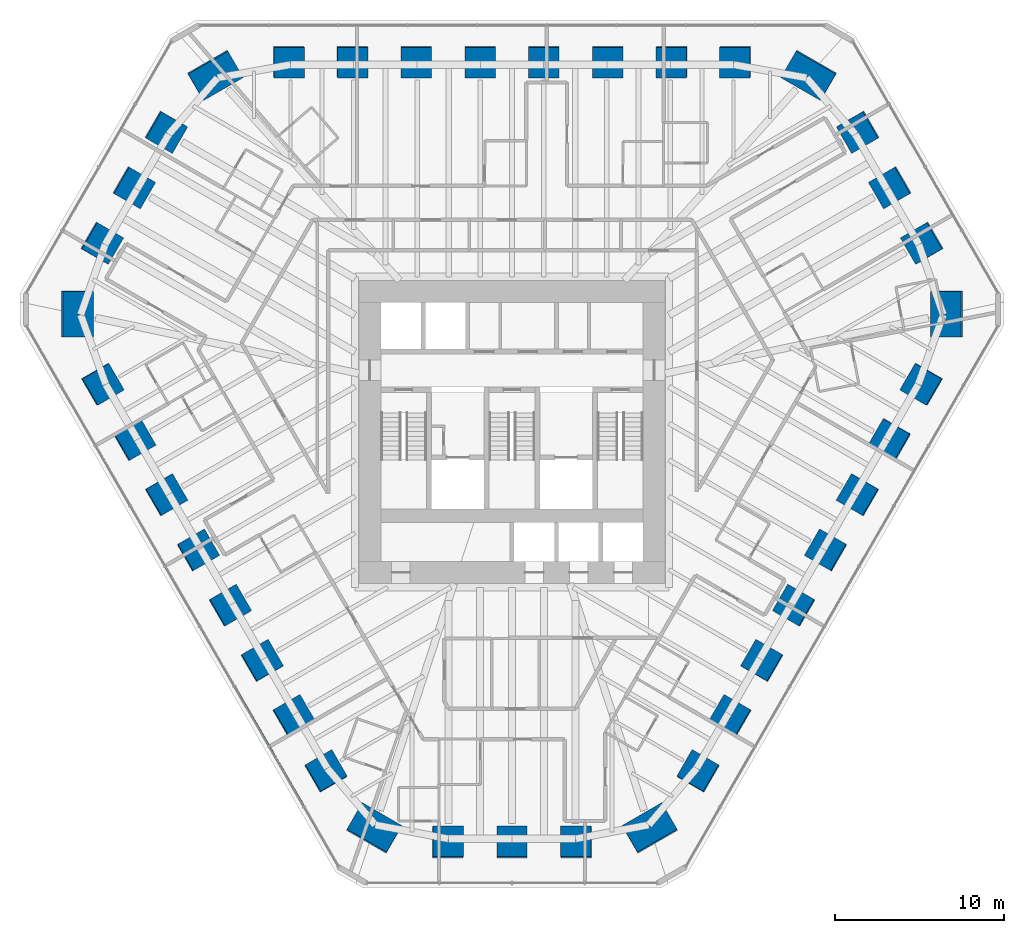
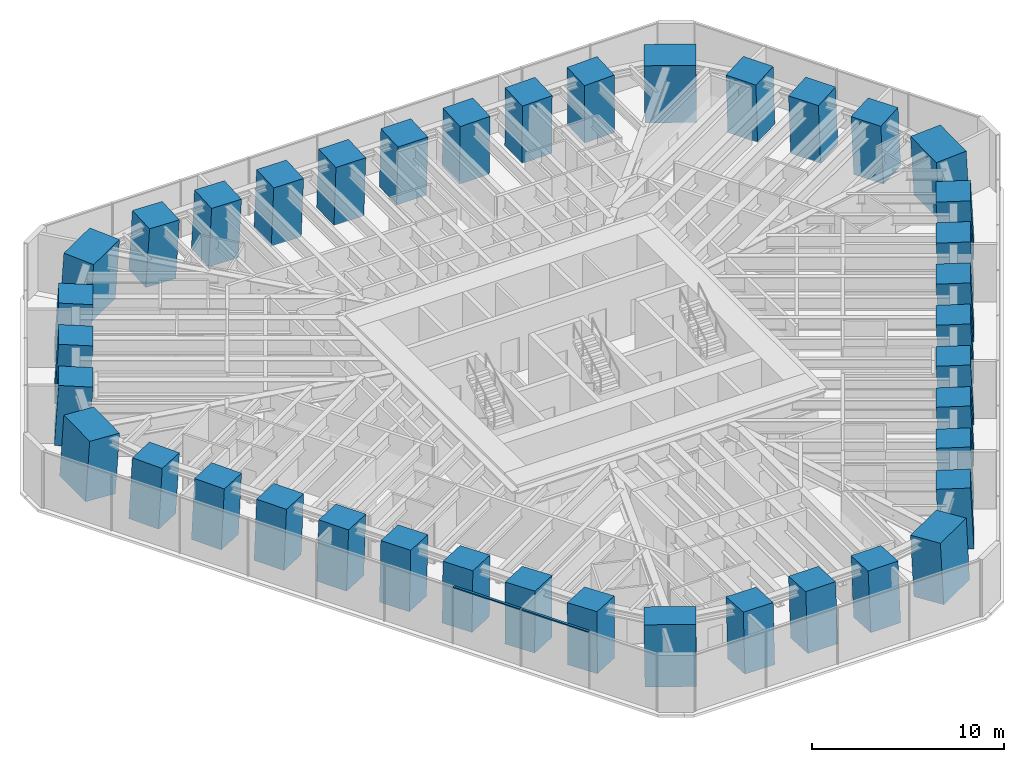
# One storey, part 1 of 17: 39 columns, 2 members, 1 element without a shape of its own.
"""IFC4 building model written with IfcOpenShell, lengths in metres."""

from ifc_helpers import new_model, si_unit, direction, frame, origin, origin_2d, place, context, subcontext, project, spatial, rectangle, extrude, material, material_profile, profile_set, type_object, element, aggregate, save


model = new_model("IFC4")

# Units and contexts
model_context = context("Model", 3, precision=1e-05, world=origin(), true_north=direction((0.0, 1.0)))
body_context = subcontext(model_context, "Body", "Model", "MODEL_VIEW")
ifc_project = project(units=[si_unit("LENGTHUNIT", "METRE"), si_unit("AREAUNIT", "SQUARE_METRE"), si_unit("VOLUMEUNIT", "CUBIC_METRE"), si_unit("PLANEANGLEUNIT", "RADIAN"), si_unit("MASSUNIT", "GRAM", prefix="KILO")], contexts=[model_context])

# Site, building, storey
site_placement = place(None, origin())
site = spatial("IfcSite", under=ifc_project, at=site_placement, CompositionType="ELEMENT")
building_placement = place(site_placement, origin())
building = spatial("IfcBuilding", under=site, at=building_placement, Name="Sandreach Pilgrim Tower", CompositionType="ELEMENT")
storey_placement = place(building_placement, frame((0.0, 0.0, 169.0)))
storey = spatial("IfcBuildingStorey", under=building, at=storey_placement, Name="L42", CompositionType="ELEMENT", Elevation=169.0)

# Columns
ifc_material_1 = material(Name="Concrete 10000 psi", Category="concrete")
ifc_material_profile_1 = material_profile(ifc_material_1, rectangle(XDim=1.800048828125, YDim=1.800048828125, at=origin_2d()), Name="RC1800X1800")
ifc_profile_set_1 = profile_set([ifc_material_profile_1], Name="Concrete 10000 psi")
column_type_1 = type_object("IfcColumnType", Name="Raked tube column RC1800X1800", PredefinedType="COLUMN", material=ifc_profile_set_1)
column_1_placement = place(storey_placement, frame((-13.2041015625, 20.331787109375, 0.0), z_axis=(0.030661228378, -0.047210594322, 0.998414267155), x_axis=(0.001430243146, 0.998884958054, 0.047188928551)))
element("IfcColumn", 1, at=column_1_placement, inside=storey, type_object=column_type_1, Name="COL L42 T01", PredefinedType="COLUMN", context=body_context, shape_type="SweptSolid", body=[
    extrude(rectangle(XDim=1.800048828125, YDim=1.800048828125, at=origin_2d()), origin(), (0.0, 0.0, 1.0), 3.80615234375),
])
column_2_placement = place(storey_placement, frame((-9.431640625, 20.332275390625, 0.0), z_axis=(0.021878437619, -0.047221495857, 0.998644813883), x_axis=(0.001498284872, 0.998884335352, 0.047199997152)))
element("IfcColumn", 2, at=column_2_placement, inside=storey, type_object=column_type_1, Name="COL L42 T02", PredefinedType="COLUMN", context=body_context, shape_type="SweptSolid", body=[
    extrude(rectangle(XDim=1.800048828125, YDim=1.800048828125, at=origin_2d()), origin(), (0.0, 0.0, 1.0), 3.80517578125),
])
column_3_placement = place(storey_placement, frame((-5.6591796875, 20.33251953125, 0.0), z_axis=(0.013154737098, -0.047228714653, 0.998797477672), x_axis=(0.000430917394, 0.998884083407, 0.047227134425)))
element("IfcColumn", 3, at=column_3_placement, inside=storey, type_object=column_type_1, Name="COL L42 T03", PredefinedType="COLUMN", context=body_context, shape_type="SweptSolid", body=[
    extrude(rectangle(XDim=1.800048828125, YDim=1.800048828125, at=origin_2d()), origin(), (0.0, 0.0, 1.0), 3.8046875),
])
for number, where, z_axis, x_axis, name in (
    (4, (-1.886474609375, 20.3330078125, 0.0), (0.004428031736, -0.047232338519, 0.998874115559), (-0.00075764009, 0.998883463242, 0.047236139166), "COL L42 T04"),
    (5, (1.886474609375, 20.3330078125, 0.0), (-0.004428031736, -0.047232338519, 0.998874115559), (0.00075764009, 0.998883463242, 0.047236139166), "COL L42 T05"),
):
    element("IfcColumn", number, at=place(storey_placement, frame(where, z_axis=z_axis, x_axis=x_axis)), inside=storey, type_object=column_type_1, Name=name, PredefinedType="COLUMN", context=body_context, shape_type="SweptSolid", body=[
        extrude(rectangle(XDim=1.800048828125, YDim=1.800048828125, at=origin_2d()), origin(), (0.0, 0.0, 1.0), 3.804443359375),
    ])
column_4_placement = place(storey_placement, frame((5.6591796875, 20.33251953125, 0.0), z_axis=(-0.013154737098, -0.047228714653, 0.998797477672), x_axis=(-0.000430917394, 0.998884083407, 0.047227134425)))
element("IfcColumn", 6, at=column_4_placement, inside=storey, type_object=column_type_1, Name="COL L42 T06", PredefinedType="COLUMN", context=body_context, shape_type="SweptSolid", body=[
    extrude(rectangle(XDim=1.800048828125, YDim=1.800048828125, at=origin_2d()), origin(), (0.0, 0.0, 1.0), 3.8046875),
])
column_5_placement = place(storey_placement, frame((9.431640625, 20.332275390625, 0.0), z_axis=(-0.021878437619, -0.047221495857, 0.998644813883), x_axis=(-0.001498284872, 0.998884335352, 0.047199997152)))
element("IfcColumn", 7, at=column_5_placement, inside=storey, type_object=column_type_1, Name="COL L42 T07", PredefinedType="COLUMN", context=body_context, shape_type="SweptSolid", body=[
    extrude(rectangle(XDim=1.800048828125, YDim=1.800048828125, at=origin_2d()), origin(), (0.0, 0.0, 1.0), 3.80517578125),
])
column_6_placement = place(storey_placement, frame((13.2041015625, 20.331787109375, 0.0), z_axis=(-0.030661228378, -0.047210594322, 0.998414267155), x_axis=(-0.001430243146, 0.998884958054, 0.047188928551)))
element("IfcColumn", 8, at=column_6_placement, inside=storey, type_object=column_type_1, Name="COL L42 T08", PredefinedType="COLUMN", context=body_context, shape_type="SweptSolid", body=[
    extrude(rectangle(XDim=1.800048828125, YDim=1.800048828125, at=origin_2d()), origin(), (0.0, 0.0, 1.0), 3.80615234375),
])
column_7_placement = place(storey_placement, frame((20.453369140625, 16.184814453125, 0.0), z_axis=(-0.046816513852, -0.037004285607, 0.998217860428), x_axis=(0.86504433807, 0.498209429097, 0.059039460802)))
element("IfcColumn", 9, at=column_7_placement, inside=storey, type_object=column_type_1, Name="COL L42 T10", PredefinedType="COLUMN", context=body_context, shape_type="SweptSolid", body=[
    extrude(rectangle(XDim=1.800048828125, YDim=1.800048828125, at=origin_2d()), origin(), (0.0, 0.0, 1.0), 3.806884765625),
])
column_8_placement = place(storey_placement, frame((22.3486328125, 12.90283203125, 0.0), z_axis=(-0.051115371342, -0.029501970913, 0.998256907076), x_axis=(0.864585430267, 0.499007902036, 0.059018196136)))
element("IfcColumn", 10, at=column_8_placement, inside=storey, type_object=column_type_1, Name="COL L42 T11", PredefinedType="COLUMN", context=body_context, shape_type="SweptSolid", body=[
    extrude(rectangle(XDim=1.800048828125, YDim=1.800048828125, at=origin_2d()), origin(), (0.0, 0.0, 1.0), 3.806640625),
])
column_9_placement = place(storey_placement, frame((24.242919921875, 9.62060546875, 0.0), z_axis=(-0.055410421986, -0.021997424469, 0.99822131737), x_axis=(0.864198060677, 0.499682708675, 0.058982222519)))
element("IfcColumn", 11, at=column_9_placement, inside=storey, type_object=column_type_1, Name="COL L42 T12", PredefinedType="COLUMN", context=body_context, shape_type="SweptSolid", body=[
    extrude(rectangle(XDim=1.800048828125, YDim=1.800048828125, at=origin_2d()), origin(), (0.0, 0.0, 1.0), 3.806884765625),
])
column_10_placement = place(storey_placement, frame((24.2099609375, 1.26904296875, 0.0), z_axis=(-0.056190960469, -0.002886521942, 0.998415867238), x_axis=(0.863809972768, -0.501605204452, 0.047165133437)))
element("IfcColumn", 12, at=column_10_placement, inside=storey, type_object=column_type_1, Name="COL L42 T14", PredefinedType="COLUMN", context=body_context, shape_type="SweptSolid", body=[
    extrude(rectangle(XDim=1.800048828125, YDim=1.800048828125, at=origin_2d()), origin(), (0.0, 0.0, 1.0), 3.80615234375),
])
column_11_placement = place(storey_placement, frame((22.32421875, -1.998046875, 0.0), z_axis=(-0.051904969326, 0.004619478111, 0.998641344318), x_axis=(0.86478842269, -0.499907435815, 0.047260338537)))
element("IfcColumn", 13, at=column_11_placement, inside=storey, type_object=column_type_1, Name="COL L42 T15", PredefinedType="COLUMN", context=body_context, shape_type="SweptSolid", body=[
    extrude(rectangle(XDim=1.800048828125, YDim=1.800048828125, at=origin_2d()), origin(), (0.0, 0.0, 1.0), 3.80517578125),
])
column_12_placement = place(storey_placement, frame((20.438232421875, -5.265380859375, 0.0), z_axis=(-0.047485357254, 0.012256355724, 0.998796737375), x_axis=(0.864520860373, -0.500371769288, 0.047241660431)))
element("IfcColumn", 14, at=column_12_placement, inside=storey, type_object=column_type_1, Name="COL L42 T16", PredefinedType="COLUMN", context=body_context, shape_type="SweptSolid", body=[
    extrude(rectangle(XDim=1.800048828125, YDim=1.800048828125, at=origin_2d()), origin(), (0.0, 0.0, 1.0), 3.8046875),
])
for number, where, z_axis, x_axis, name in (
    (15, (18.552001953125, -8.53271484375, 0.0), (-0.043061124158, 0.019765761908, 0.99887689644), (0.86533771218, -0.498963825371, 0.047177800391), "COL L42 T17"),
    (16, (16.665771484375, -11.80029296875, 0.0), (-0.038761198129, 0.027466544369, 0.998870941844), (0.864974409921, -0.499581556198, 0.04730263088), "COL L42 T18"),
):
    element("IfcColumn", number, at=place(storey_placement, frame(where, z_axis=z_axis, x_axis=x_axis)), inside=storey, type_object=column_type_1, Name=name, PredefinedType="COLUMN", context=body_context, shape_type="SweptSolid", body=[
        extrude(rectangle(XDim=1.800048828125, YDim=1.800048828125, at=origin_2d()), origin(), (0.0, 0.0, 1.0), 3.804443359375),
    ])
column_13_placement = place(storey_placement, frame((14.779052734375, -15.0673828125, 0.0), z_axis=(-0.034330611529, 0.03503647457, 0.998796202717), x_axis=(0.865110186239, -0.499351179148, 0.047252148632)))
element("IfcColumn", 17, at=column_13_placement, inside=storey, type_object=column_type_1, Name="COL L42 T19", PredefinedType="COLUMN", context=body_context, shape_type="SweptSolid", body=[
    extrude(rectangle(XDim=1.800048828125, YDim=1.800048828125, at=origin_2d()), origin(), (0.0, 0.0, 1.0), 3.8046875),
])
column_14_placement = place(storey_placement, frame((12.892333984375, -18.334228515625, 0.0), z_axis=(-0.029898388142, 0.042601995121, 0.998644659725), x_axis=(0.865115920667, -0.499345923007, 0.047202679853)))
element("IfcColumn", 18, at=column_14_placement, inside=storey, type_object=column_type_1, Name="COL L42 T20", PredefinedType="COLUMN", context=body_context, shape_type="SweptSolid", body=[
    extrude(rectangle(XDim=1.800048828125, YDim=1.800048828125, at=origin_2d()), origin(), (0.0, 0.0, 1.0), 3.80517578125),
])
column_15_placement = place(storey_placement, frame((11.005859375, -21.60107421875, 0.0), z_axis=(-0.025529655274, 0.050161282473, 0.998414784767), x_axis=(0.865565037486, -0.498569049576, 0.04718123236)))
element("IfcColumn", 19, at=column_15_placement, inside=storey, type_object=column_type_1, Name="COL L42 T21", PredefinedType="COLUMN", context=body_context, shape_type="SweptSolid", body=[
    extrude(rectangle(XDim=1.800048828125, YDim=1.800048828125, at=origin_2d()), origin(), (0.0, 0.0, 1.0), 3.80615234375),
])
column_16_placement = place(storey_placement, frame((3.789794921875, -25.805419921875, 0.0), z_axis=(-0.008657869889, 0.059001779984, 0.998220332015), x_axis=(-0.000629006962, -0.998257870617, 0.058998543208)))
element("IfcColumn", 20, at=column_16_placement, inside=storey, type_object=column_type_1, Name="COL L42 T23", PredefinedType="COLUMN", context=body_context, shape_type="SweptSolid", body=[
    extrude(rectangle(XDim=1.800048828125, YDim=1.800048828125, at=origin_2d()), origin(), (0.0, 0.0, 1.0), 3.806884765625),
])
column_17_placement = place(storey_placement, frame((0.0, -25.805908203125, 0.0), z_axis=(0.0, 0.059003991457, 0.998257746773), x_axis=(0.0, -0.998257746773, 0.059003991457)))
element("IfcColumn", 21, at=column_17_placement, inside=storey, type_object=column_type_1, Name="COL L42 T24", PredefinedType="COLUMN", context=body_context, shape_type="SweptSolid", body=[
    extrude(rectangle(XDim=1.800048828125, YDim=1.800048828125, at=origin_2d()), origin(), (0.0, 0.0, 1.0), 3.806640625),
])
column_18_placement = place(storey_placement, frame((-3.789794921875, -25.805419921875, 0.0), z_axis=(0.008657869889, 0.059001779984, 0.998220332015), x_axis=(0.000629006962, -0.998257870617, 0.058998543208)))
element("IfcColumn", 22, at=column_18_placement, inside=storey, type_object=column_type_1, Name="COL L42 T25", PredefinedType="COLUMN", context=body_context, shape_type="SweptSolid", body=[
    extrude(rectangle(XDim=1.800048828125, YDim=1.800048828125, at=origin_2d()), origin(), (0.0, 0.0, 1.0), 3.806884765625),
])
column_19_placement = place(storey_placement, frame((-11.005859375, -21.60107421875, 0.0), z_axis=(0.025529655274, 0.050161282473, 0.998414784767), x_axis=(-0.865565037486, -0.498569049576, 0.04718123236)))
element("IfcColumn", 23, at=column_19_placement, inside=storey, type_object=column_type_1, Name="COL L42 T27", PredefinedType="COLUMN", context=body_context, shape_type="SweptSolid", body=[
    extrude(rectangle(XDim=1.800048828125, YDim=1.800048828125, at=origin_2d()), origin(), (0.0, 0.0, 1.0), 3.80615234375),
])
column_20_placement = place(storey_placement, frame((-12.892333984375, -18.334228515625, 0.0), z_axis=(0.029898388142, 0.042601995121, 0.998644659725), x_axis=(-0.865115920667, -0.499345923007, 0.047202679853)))
element("IfcColumn", 24, at=column_20_placement, inside=storey, type_object=column_type_1, Name="COL L42 T28", PredefinedType="COLUMN", context=body_context, shape_type="SweptSolid", body=[
    extrude(rectangle(XDim=1.800048828125, YDim=1.800048828125, at=origin_2d()), origin(), (0.0, 0.0, 1.0), 3.80517578125),
])
column_21_placement = place(storey_placement, frame((-14.779052734375, -15.0673828125, 0.0), z_axis=(0.034330611529, 0.03503647457, 0.998796202717), x_axis=(-0.865110186239, -0.499351179148, 0.047252148632)))
element("IfcColumn", 25, at=column_21_placement, inside=storey, type_object=column_type_1, Name="COL L42 T29", PredefinedType="COLUMN", context=body_context, shape_type="SweptSolid", body=[
    extrude(rectangle(XDim=1.800048828125, YDim=1.800048828125, at=origin_2d()), origin(), (0.0, 0.0, 1.0), 3.8046875),
])
for number, where, z_axis, x_axis, name in (
    (26, (-16.665771484375, -11.80029296875, 0.0), (0.038761198129, 0.027466544369, 0.998870941844), (-0.864974409921, -0.499581556198, 0.04730263088), "COL L42 T30"),
    (27, (-18.552001953125, -8.53271484375, 0.0), (0.043061124158, 0.019765761908, 0.99887689644), (-0.86533771218, -0.498963825371, 0.047177800391), "COL L42 T31"),
):
    element("IfcColumn", number, at=place(storey_placement, frame(where, z_axis=z_axis, x_axis=x_axis)), inside=storey, type_object=column_type_1, Name=name, PredefinedType="COLUMN", context=body_context, shape_type="SweptSolid", body=[
        extrude(rectangle(XDim=1.800048828125, YDim=1.800048828125, at=origin_2d()), origin(), (0.0, 0.0, 1.0), 3.804443359375),
    ])
column_22_placement = place(storey_placement, frame((-20.438232421875, -5.265380859375, 0.0), z_axis=(0.047485357254, 0.012256355724, 0.998796737375), x_axis=(-0.864520860373, -0.500371769288, 0.047241660431)))
element("IfcColumn", 28, at=column_22_placement, inside=storey, type_object=column_type_1, Name="COL L42 T32", PredefinedType="COLUMN", context=body_context, shape_type="SweptSolid", body=[
    extrude(rectangle(XDim=1.800048828125, YDim=1.800048828125, at=origin_2d()), origin(), (0.0, 0.0, 1.0), 3.8046875),
])
column_23_placement = place(storey_placement, frame((-22.32421875, -1.998046875, 0.0), z_axis=(0.051904969326, 0.004619478111, 0.998641344318), x_axis=(-0.86478842269, -0.499907435815, 0.047260338537)))
element("IfcColumn", 29, at=column_23_placement, inside=storey, type_object=column_type_1, Name="COL L42 T33", PredefinedType="COLUMN", context=body_context, shape_type="SweptSolid", body=[
    extrude(rectangle(XDim=1.800048828125, YDim=1.800048828125, at=origin_2d()), origin(), (0.0, 0.0, 1.0), 3.80517578125),
])
column_24_placement = place(storey_placement, frame((-24.2099609375, 1.26904296875, 0.0), z_axis=(0.056190960469, -0.002886521942, 0.998415867238), x_axis=(-0.863809972768, -0.501605204452, 0.047165133437)))
element("IfcColumn", 30, at=column_24_placement, inside=storey, type_object=column_type_1, Name="COL L42 T34", PredefinedType="COLUMN", context=body_context, shape_type="SweptSolid", body=[
    extrude(rectangle(XDim=1.800048828125, YDim=1.800048828125, at=origin_2d()), origin(), (0.0, 0.0, 1.0), 3.80615234375),
])
column_25_placement = place(storey_placement, frame((-24.242919921875, 9.62060546875, 0.0), z_axis=(0.055410421986, -0.021997424469, 0.99822131737), x_axis=(-0.864198060677, 0.499682708675, 0.058982222519)))
element("IfcColumn", 31, at=column_25_placement, inside=storey, type_object=column_type_1, Name="COL L42 T36", PredefinedType="COLUMN", context=body_context, shape_type="SweptSolid", body=[
    extrude(rectangle(XDim=1.800048828125, YDim=1.800048828125, at=origin_2d()), origin(), (0.0, 0.0, 1.0), 3.806884765625),
])
column_26_placement = place(storey_placement, frame((-22.3486328125, 12.90283203125, 0.0), z_axis=(0.051115371342, -0.029501970913, 0.998256907076), x_axis=(-0.864585430267, 0.499007902036, 0.059018196136)))
element("IfcColumn", 32, at=column_26_placement, inside=storey, type_object=column_type_1, Name="COL L42 T37", PredefinedType="COLUMN", context=body_context, shape_type="SweptSolid", body=[
    extrude(rectangle(XDim=1.800048828125, YDim=1.800048828125, at=origin_2d()), origin(), (0.0, 0.0, 1.0), 3.806640625),
])
column_27_placement = place(storey_placement, frame((-20.453369140625, 16.184814453125, 0.0), z_axis=(0.046816513852, -0.037004285607, 0.998217860428), x_axis=(-0.86504433807, 0.498209429097, 0.059039460802)))
element("IfcColumn", 33, at=column_27_placement, inside=storey, type_object=column_type_1, Name="COL L42 T38", PredefinedType="COLUMN", context=body_context, shape_type="SweptSolid", body=[
    extrude(rectangle(XDim=1.800048828125, YDim=1.800048828125, at=origin_2d()), origin(), (0.0, 0.0, 1.0), 3.806884765625),
])
ifc_material_2 = material(Name="Concrete 10000 psi", Category="concrete")
ifc_material_profile_2 = material_profile(ifc_material_2, rectangle(XDim=1.800048828125, YDim=2.699951171875, at=origin_2d()), Name="RC1800X2700")
ifc_profile_set_2 = profile_set([ifc_material_profile_2], Name="Concrete 10000 psi")
column_type_2 = type_object("IfcColumnType", Name="Raked tube corner pier RC1800X2700", PredefinedType="COLUMN", material=ifc_profile_set_2)
column_28_placement = place(storey_placement, frame((17.553955078125, 19.54931640625, 0.0), z_axis=(-0.041104111089, -0.045785234505, 0.998105287208), x_axis=(0.498342902409, 0.864887659108, 0.060197082496)))
element("IfcColumn", 34, at=column_28_placement, inside=storey, type_object=column_type_2, Name="COL L42 T09", PredefinedType="COLUMN", context=body_context, shape_type="SweptSolid", body=[
    extrude(rectangle(XDim=1.800048828125, YDim=2.699951171875, at=origin_2d()), origin(), (0.0, 0.0, 1.0), 3.807373046875),
])
column_29_placement = place(storey_placement, frame((25.70703125, 5.427490234375, 0.0), z_axis=(-0.060149431098, -0.012696788228, 0.998108630114), x_axis=(0.998189382838, -0.000809068456, 0.060144005496)))
element("IfcColumn", 35, at=column_29_placement, inside=storey, type_object=column_type_2, Name="COL L42 T13", PredefinedType="COLUMN", context=body_context, shape_type="SweptSolid", body=[
    extrude(rectangle(XDim=1.800048828125, YDim=2.699951171875, at=origin_2d()), origin(), (0.0, 0.0, 1.0), 3.80712890625),
])
for number, where, z_axis, x_axis, name in (
    (36, (8.153076171875, -24.976806640625, 0.0), (-0.019109248601, 0.058481995719, 0.998105551931), (0.500012624267, -0.863923719226, 0.060192881077), "COL L42 T22"),
    (37, (-8.153076171875, -24.976806640625, 0.0), (0.019109248601, 0.058481995719, 0.998105551931), (-0.500012624267, -0.863923719226, 0.060192881077), "COL L42 T26"),
):
    element("IfcColumn", number, at=place(storey_placement, frame(where, z_axis=z_axis, x_axis=x_axis)), inside=storey, type_object=column_type_2, Name=name, PredefinedType="COLUMN", context=body_context, shape_type="SweptSolid", body=[
        extrude(rectangle(XDim=1.800048828125, YDim=2.699951171875, at=origin_2d()), origin(), (0.0, 0.0, 1.0), 3.807373046875),
    ])
column_30_placement = place(storey_placement, frame((-25.70703125, 5.427490234375, 0.0), z_axis=(0.060149431098, -0.012696788228, 0.998108630114), x_axis=(-0.998189382838, -0.000809068456, 0.060144005496)))
element("IfcColumn", 38, at=column_30_placement, inside=storey, type_object=column_type_2, Name="COL L42 T35", PredefinedType="COLUMN", context=body_context, shape_type="SweptSolid", body=[
    extrude(rectangle(XDim=1.800048828125, YDim=2.699951171875, at=origin_2d()), origin(), (0.0, 0.0, 1.0), 3.80712890625),
])
column_31_placement = place(storey_placement, frame((-17.553955078125, 19.54931640625, 0.0), z_axis=(0.041104111089, -0.045785234505, 0.998105287208), x_axis=(-0.498342902409, 0.864887659108, 0.060197082496)))
element("IfcColumn", 39, at=column_31_placement, inside=storey, type_object=column_type_2, Name="COL L42 T39", PredefinedType="COLUMN", context=body_context, shape_type="SweptSolid", body=[
    extrude(rectangle(XDim=1.800048828125, YDim=2.699951171875, at=origin_2d()), origin(), (0.0, 0.0, 1.0), 3.807373046875),
])

# Curtain wall, members
ifc_material_3 = material(Name="Aluminium framed curtain wall", Category="aluminium")
curtain_wall_type = type_object("IfcCurtainWallType", Name="Hotel tower curtain wall", PredefinedType="NOTDEFINED", material=ifc_material_3)
curtain_wall_placement = place(storey_placement, origin())
curtain_wall = element("IfcCurtainWall", 40, at=curtain_wall_placement, inside=storey, type_object=curtain_wall_type, Name="CW-2 L42 SW", PredefinedType="NOTDEFINED")
ifc_material_4 = material(Name="Aluminium extrusion", Category="aluminium")
ifc_material_profile_3 = material_profile(ifc_material_4, rectangle(XDim=0.139892578125, YDim=0.070068359375, at=origin_2d()), Name="CW-2T 140X70")
ifc_profile_set_3 = profile_set([ifc_material_profile_3], Name="Aluminium extrusion")
member_type = type_object("IfcMemberType", Name="CW-2 transom", PredefinedType="USERDEFINED", material=ifc_profile_set_3)
member_1_placement = place(storey_placement, frame((-12.309326171875, -23.667236328125, 3.60498046875), z_axis=(-0.500023973715, 0.866011562111, 0.0), x_axis=(-0.866011562111, -0.500023973715, 0.0)))
member_1 = element("IfcMember", 41, at=member_1_placement, type_object=member_type, Name="CW-2 head transom 2", ObjectType="TRANSOM", PredefinedType="USERDEFINED", context=body_context, shape_type="SweptSolid", body=[
    extrude(rectangle(XDim=0.139892578125, YDim=0.070068359375, at=origin_2d()), origin(), (0.0, 0.0, 1.0), 4.041748046875),
])
member_2_placement = place(storey_placement, frame((-14.36279296875, -20.110595703125, 3.60498046875), z_axis=(-0.499997818338, 0.866026663364, 0.0), x_axis=(-0.866026663364, -0.499997818338, 0.0)))
member_2 = element("IfcMember", 42, at=member_2_placement, type_object=member_type, Name="CW-2 head transom 3", ObjectType="TRANSOM", PredefinedType="USERDEFINED", context=body_context, shape_type="SweptSolid", body=[
    extrude(rectangle(XDim=0.139892578125, YDim=0.070068359375, at=origin_2d()), origin(), (0.0, 0.0, 1.0), 4.0419921875),
])
aggregate(curtain_wall, [member_1, member_2])

save(model, "model.ifc")
